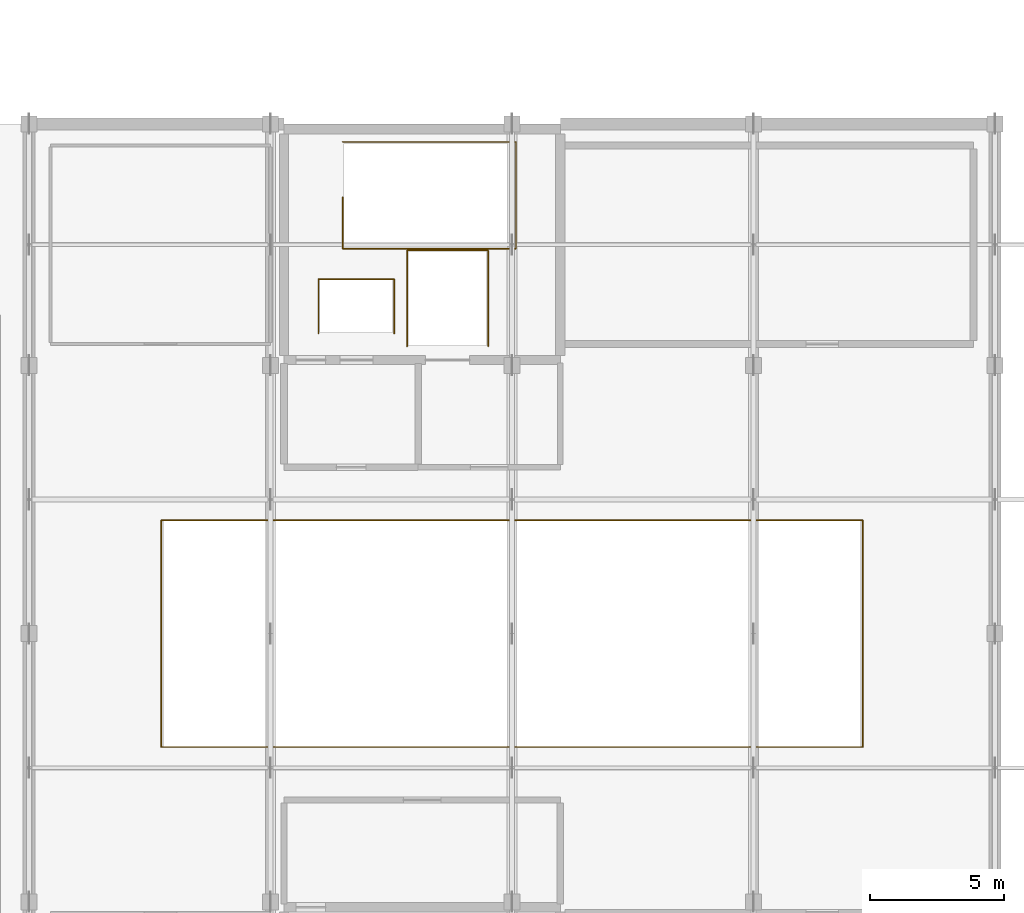
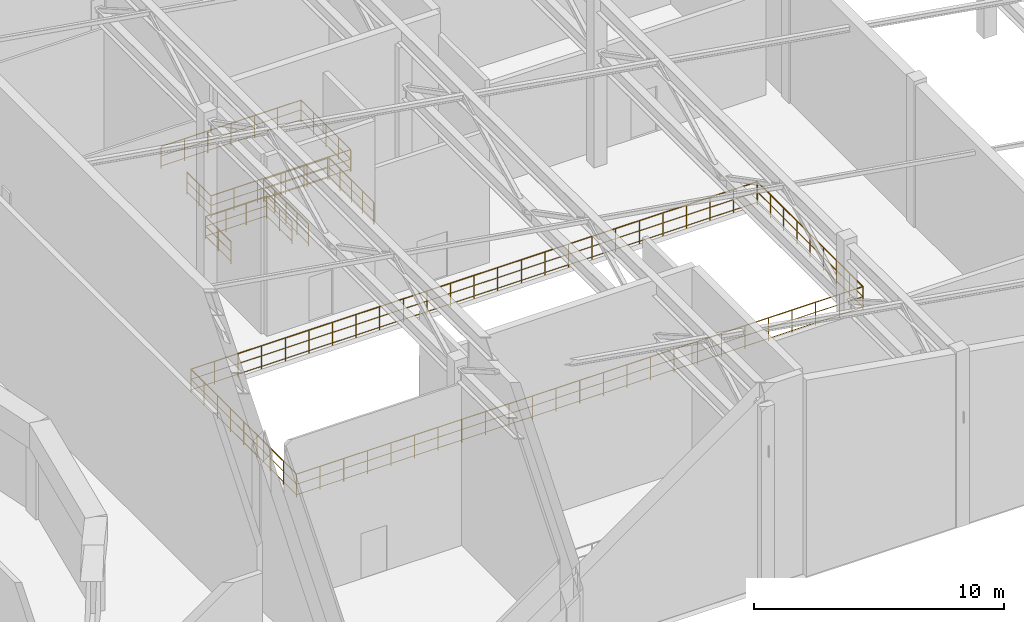
# One storey, part 68 of 68: 4 railings.
"""IFC4 building model written with IfcOpenShell, lengths in metres."""

from ifc_helpers import new_model, si_unit, direction, frame, origin, origin_2d, place, context, subcontext, project, spatial, circle, extrude, material, type_object, element, save


model = new_model("IFC4")

# Units and contexts
model_context = context("Model", 3, precision=1e-05, world=origin(), true_north=direction((0.0, 1.0)))
body_context = subcontext(model_context, "Body", "Model", "MODEL_VIEW")
ifc_project = project(units=[si_unit("LENGTHUNIT", "METRE"), si_unit("AREAUNIT", "SQUARE_METRE"), si_unit("VOLUMEUNIT", "CUBIC_METRE"), si_unit("PLANEANGLEUNIT", "RADIAN"), si_unit("MASSUNIT", "GRAM", prefix="KILO")], contexts=[model_context])

# Site, building, storey
site_placement = place(None, origin())
site = spatial("IfcSite", under=ifc_project, at=site_placement, CompositionType="ELEMENT")
building_placement = place(site_placement, origin())
building = spatial("IfcBuilding", under=site, at=building_placement, Name="Miravela Opera House", CompositionType="ELEMENT")
storey_placement = place(building_placement, frame((0.0, 0.0, 21.760009765625)))
storey = spatial("IfcBuildingStorey", under=building, at=storey_placement, Name="L05", CompositionType="ELEMENT", Elevation=21.760009765625)

# Railings
ifc_material_1 = material(Name="Galvanised steel fly-gallery safety guardrail", Category="steel")
railing_type_1 = type_object("IfcRailingType", Name="ARC-RAIL-STAGE-GUARD", PredefinedType="GUARDRAIL", material=ifc_material_1)
railing_1_placement = place(storey_placement, frame((103.923828125, 51.775390625, 0.0)))
element("IfcRailing", 1, at=railing_1_placement, inside=storey, type_object=railing_type_1, Name="L05 Void Perimeter Balustrade 0171", PredefinedType="GUARDRAIL", context=body_context, shape_type="SweptSolid", body=[
    extrude(circle(Radius=0.02392578125, at=origin_2d()), frame((0.0, 0.0, 1.1259765625), z_axis=(1.0, 0.0, 0.0), x_axis=(0.0, 1.0, 0.0)), (0.0, 0.0, 1.0), 26.15234375),
    extrude(circle(Radius=0.01611328125, at=origin_2d()), frame((0.0, 0.0, 0.63232421875), z_axis=(1.0, 0.0, 0.0), x_axis=(0.0, 1.0, 0.0)), (0.0, 0.0, 1.0), 26.15234375),
    extrude(circle(Radius=0.01611328125, at=origin_2d()), frame((0.0, 0.0, 0.1201171875), z_axis=(1.0, 0.0, 0.0), x_axis=(0.0, 1.0, 0.0)), (0.0, 0.0, 1.0), 26.15234375),
    extrude(circle(Radius=0.02392578125, at=origin_2d()), frame((26.15234375, 0.0, 1.1259765625), z_axis=(0.0, 1.0, 0.0), x_axis=(-1.0, 0.0, 0.0)), (0.0, 0.0, 1.0), 8.44921875),
    extrude(circle(Radius=0.01611328125, at=origin_2d()), frame((26.15234375, 0.0, 0.63232421875), z_axis=(0.0, 1.0, 0.0), x_axis=(-1.0, 0.0, 0.0)), (0.0, 0.0, 1.0), 8.44921875),
    extrude(circle(Radius=0.01611328125, at=origin_2d()), frame((26.15234375, 0.0, 0.1201171875), z_axis=(0.0, 1.0, 0.0), x_axis=(-1.0, 0.0, 0.0)), (0.0, 0.0, 1.0), 8.44921875),
    extrude(circle(Radius=0.02392578125, at=origin_2d()), frame((26.15234375, 8.44921875, 1.1259765625), z_axis=(-1.0, 0.0, 0.0), x_axis=(0.0, -1.0, 0.0)), (0.0, 0.0, 1.0), 26.15234375),
    extrude(circle(Radius=0.01611328125, at=origin_2d()), frame((26.15234375, 8.44921875, 0.63232421875), z_axis=(-1.0, 0.0, 0.0), x_axis=(0.0, -1.0, 0.0)), (0.0, 0.0, 1.0), 26.15234375),
    extrude(circle(Radius=0.01611328125, at=origin_2d()), frame((26.15234375, 8.44921875, 0.1201171875), z_axis=(-1.0, 0.0, 0.0), x_axis=(0.0, -1.0, 0.0)), (0.0, 0.0, 1.0), 26.15234375),
    extrude(circle(Radius=0.02392578125, at=origin_2d()), frame((0.0, 8.44921875, 1.1259765625), z_axis=(0.0, -1.0, 0.0), x_axis=(1.0, 0.0, 0.0)), (0.0, 0.0, 1.0), 8.44921875),
    extrude(circle(Radius=0.01611328125, at=origin_2d()), frame((0.0, 8.44921875, 0.63232421875), z_axis=(0.0, -1.0, 0.0), x_axis=(1.0, 0.0, 0.0)), (0.0, 0.0, 1.0), 8.44921875),
    extrude(circle(Radius=0.01611328125, at=origin_2d()), frame((0.0, 8.44921875, 0.1201171875), z_axis=(0.0, -1.0, 0.0), x_axis=(1.0, 0.0, 0.0)), (0.0, 0.0, 1.0), 8.44921875),
    extrude(circle(Radius=0.02099609375, at=origin_2d()), origin(), (0.0, 0.0, 1.0), 1.101806640625),
    extrude(circle(Radius=0.02099609375, at=origin_2d()), frame((1.089599609375, 0.0, 0.0)), (0.0, 0.0, 1.0), 1.101806640625),
    extrude(circle(Radius=0.02099609375, at=origin_2d()), frame((2.179443359375, 0.0, 0.0)), (0.0, 0.0, 1.0), 1.101806640625),
    extrude(circle(Radius=0.02099609375, at=origin_2d()), frame((3.26904296875, 0.0, 0.0)), (0.0, 0.0, 1.0), 1.101806640625),
    extrude(circle(Radius=0.02099609375, at=origin_2d()), frame((4.358642578125, 0.0, 0.0)), (0.0, 0.0, 1.0), 1.101806640625),
    extrude(circle(Radius=0.02099609375, at=origin_2d()), frame((5.448486328125, 0.0, 0.0)), (0.0, 0.0, 1.0), 1.101806640625),
    extrude(circle(Radius=0.02099609375, at=origin_2d()), frame((6.5380859375, 0.0, 0.0)), (0.0, 0.0, 1.0), 1.101806640625),
    extrude(circle(Radius=0.02099609375, at=origin_2d()), frame((7.627685546875, 0.0, 0.0)), (0.0, 0.0, 1.0), 1.101806640625),
    extrude(circle(Radius=0.02099609375, at=origin_2d()), frame((8.717529296875, 0.0, 0.0)), (0.0, 0.0, 1.0), 1.101806640625),
    extrude(circle(Radius=0.02099609375, at=origin_2d()), frame((9.80712890625, 0.0, 0.0)), (0.0, 0.0, 1.0), 1.101806640625),
    extrude(circle(Radius=0.02099609375, at=origin_2d()), frame((10.896728515625, 0.0, 0.0)), (0.0, 0.0, 1.0), 1.101806640625),
    extrude(circle(Radius=0.02099609375, at=origin_2d()), frame((11.986572265625, 0.0, 0.0)), (0.0, 0.0, 1.0), 1.101806640625),
    extrude(circle(Radius=0.02099609375, at=origin_2d()), frame((13.076171875, 0.0, 0.0)), (0.0, 0.0, 1.0), 1.101806640625),
    extrude(circle(Radius=0.02099609375, at=origin_2d()), frame((14.165771484375, 0.0, 0.0)), (0.0, 0.0, 1.0), 1.101806640625),
    extrude(circle(Radius=0.02099609375, at=origin_2d()), frame((15.255615234375, 0.0, 0.0)), (0.0, 0.0, 1.0), 1.101806640625),
    extrude(circle(Radius=0.02099609375, at=origin_2d()), frame((16.34521484375, 0.0, 0.0)), (0.0, 0.0, 1.0), 1.101806640625),
    extrude(circle(Radius=0.02099609375, at=origin_2d()), frame((17.434814453125, 0.0, 0.0)), (0.0, 0.0, 1.0), 1.101806640625),
    extrude(circle(Radius=0.02099609375, at=origin_2d()), frame((18.524658203125, 0.0, 0.0)), (0.0, 0.0, 1.0), 1.101806640625),
    extrude(circle(Radius=0.02099609375, at=origin_2d()), frame((19.6142578125, 0.0, 0.0)), (0.0, 0.0, 1.0), 1.101806640625),
    extrude(circle(Radius=0.02099609375, at=origin_2d()), frame((20.703857421875, 0.0, 0.0)), (0.0, 0.0, 1.0), 1.101806640625),
    extrude(circle(Radius=0.02099609375, at=origin_2d()), frame((21.793701171875, 0.0, 0.0)), (0.0, 0.0, 1.0), 1.101806640625),
    extrude(circle(Radius=0.02099609375, at=origin_2d()), frame((22.88330078125, 0.0, 0.0)), (0.0, 0.0, 1.0), 1.101806640625),
    extrude(circle(Radius=0.02099609375, at=origin_2d()), frame((23.972900390625, 0.0, 0.0)), (0.0, 0.0, 1.0), 1.101806640625),
    extrude(circle(Radius=0.02099609375, at=origin_2d()), frame((25.062744140625, 0.0, 0.0)), (0.0, 0.0, 1.0), 1.101806640625),
    extrude(circle(Radius=0.02099609375, at=origin_2d()), frame((26.15234375, 0.0, 0.0)), (0.0, 0.0, 1.0), 1.101806640625),
    extrude(circle(Radius=0.02099609375, at=origin_2d()), frame((26.15234375, 1.05615234375, 0.0)), (0.0, 0.0, 1.0), 1.101806640625),
    extrude(circle(Radius=0.02099609375, at=origin_2d()), frame((26.15234375, 2.1123046875, 0.0)), (0.0, 0.0, 1.0), 1.101806640625),
    extrude(circle(Radius=0.02099609375, at=origin_2d()), frame((26.15234375, 3.16845703125, 0.0)), (0.0, 0.0, 1.0), 1.101806640625),
    extrude(circle(Radius=0.02099609375, at=origin_2d()), frame((26.15234375, 4.224609375, 0.0)), (0.0, 0.0, 1.0), 1.101806640625),
    extrude(circle(Radius=0.02099609375, at=origin_2d()), frame((26.15234375, 5.28076171875, 0.0)), (0.0, 0.0, 1.0), 1.101806640625),
    extrude(circle(Radius=0.02099609375, at=origin_2d()), frame((26.15234375, 6.3369140625, 0.0)), (0.0, 0.0, 1.0), 1.101806640625),
    extrude(circle(Radius=0.02099609375, at=origin_2d()), frame((26.15234375, 7.39306640625, 0.0)), (0.0, 0.0, 1.0), 1.101806640625),
    extrude(circle(Radius=0.02099609375, at=origin_2d()), frame((26.15234375, 8.44921875, 0.0)), (0.0, 0.0, 1.0), 1.101806640625),
    extrude(circle(Radius=0.02099609375, at=origin_2d()), frame((25.062744140625, 8.44921875, 0.0)), (0.0, 0.0, 1.0), 1.101806640625),
    extrude(circle(Radius=0.02099609375, at=origin_2d()), frame((23.972900390625, 8.44921875, 0.0)), (0.0, 0.0, 1.0), 1.101806640625),
    extrude(circle(Radius=0.02099609375, at=origin_2d()), frame((22.88330078125, 8.44921875, 0.0)), (0.0, 0.0, 1.0), 1.101806640625),
    extrude(circle(Radius=0.02099609375, at=origin_2d()), frame((21.793701171875, 8.44921875, 0.0)), (0.0, 0.0, 1.0), 1.101806640625),
    extrude(circle(Radius=0.02099609375, at=origin_2d()), frame((20.703857421875, 8.44921875, 0.0)), (0.0, 0.0, 1.0), 1.101806640625),
    extrude(circle(Radius=0.02099609375, at=origin_2d()), frame((19.6142578125, 8.44921875, 0.0)), (0.0, 0.0, 1.0), 1.101806640625),
    extrude(circle(Radius=0.02099609375, at=origin_2d()), frame((18.524658203125, 8.44921875, 0.0)), (0.0, 0.0, 1.0), 1.101806640625),
    extrude(circle(Radius=0.02099609375, at=origin_2d()), frame((17.434814453125, 8.44921875, 0.0)), (0.0, 0.0, 1.0), 1.101806640625),
    extrude(circle(Radius=0.02099609375, at=origin_2d()), frame((16.34521484375, 8.44921875, 0.0)), (0.0, 0.0, 1.0), 1.101806640625),
    extrude(circle(Radius=0.02099609375, at=origin_2d()), frame((15.255615234375, 8.44921875, 0.0)), (0.0, 0.0, 1.0), 1.101806640625),
    extrude(circle(Radius=0.02099609375, at=origin_2d()), frame((14.165771484375, 8.44921875, 0.0)), (0.0, 0.0, 1.0), 1.101806640625),
    extrude(circle(Radius=0.02099609375, at=origin_2d()), frame((13.076171875, 8.44921875, 0.0)), (0.0, 0.0, 1.0), 1.101806640625),
    extrude(circle(Radius=0.02099609375, at=origin_2d()), frame((11.986572265625, 8.44921875, 0.0)), (0.0, 0.0, 1.0), 1.101806640625),
    extrude(circle(Radius=0.02099609375, at=origin_2d()), frame((10.896728515625, 8.44921875, 0.0)), (0.0, 0.0, 1.0), 1.101806640625),
    extrude(circle(Radius=0.02099609375, at=origin_2d()), frame((9.80712890625, 8.44921875, 0.0)), (0.0, 0.0, 1.0), 1.101806640625),
    extrude(circle(Radius=0.02099609375, at=origin_2d()), frame((8.717529296875, 8.44921875, 0.0)), (0.0, 0.0, 1.0), 1.101806640625),
    extrude(circle(Radius=0.02099609375, at=origin_2d()), frame((7.627685546875, 8.44921875, 0.0)), (0.0, 0.0, 1.0), 1.101806640625),
    extrude(circle(Radius=0.02099609375, at=origin_2d()), frame((6.5380859375, 8.44921875, 0.0)), (0.0, 0.0, 1.0), 1.101806640625),
    extrude(circle(Radius=0.02099609375, at=origin_2d()), frame((5.448486328125, 8.44921875, 0.0)), (0.0, 0.0, 1.0), 1.101806640625),
    extrude(circle(Radius=0.02099609375, at=origin_2d()), frame((4.358642578125, 8.44921875, 0.0)), (0.0, 0.0, 1.0), 1.101806640625),
    extrude(circle(Radius=0.02099609375, at=origin_2d()), frame((3.26904296875, 8.44921875, 0.0)), (0.0, 0.0, 1.0), 1.101806640625),
    extrude(circle(Radius=0.02099609375, at=origin_2d()), frame((2.179443359375, 8.44921875, 0.0)), (0.0, 0.0, 1.0), 1.101806640625),
    extrude(circle(Radius=0.02099609375, at=origin_2d()), frame((1.089599609375, 8.44921875, 0.0)), (0.0, 0.0, 1.0), 1.101806640625),
    extrude(circle(Radius=0.02099609375, at=origin_2d()), frame((0.0, 8.44921875, 0.0)), (0.0, 0.0, 1.0), 1.101806640625),
    extrude(circle(Radius=0.02099609375, at=origin_2d()), frame((0.0, 7.39306640625, 0.0)), (0.0, 0.0, 1.0), 1.101806640625),
    extrude(circle(Radius=0.02099609375, at=origin_2d()), frame((0.0, 6.3369140625, 0.0)), (0.0, 0.0, 1.0), 1.101806640625),
    extrude(circle(Radius=0.02099609375, at=origin_2d()), frame((0.0, 5.28076171875, 0.0)), (0.0, 0.0, 1.0), 1.101806640625),
    extrude(circle(Radius=0.02099609375, at=origin_2d()), frame((0.0, 4.224609375, 0.0)), (0.0, 0.0, 1.0), 1.101806640625),
    extrude(circle(Radius=0.02099609375, at=origin_2d()), frame((0.0, 3.16845703125, 0.0)), (0.0, 0.0, 1.0), 1.101806640625),
    extrude(circle(Radius=0.02099609375, at=origin_2d()), frame((0.0, 2.1123046875, 0.0)), (0.0, 0.0, 1.0), 1.101806640625),
    extrude(circle(Radius=0.02099609375, at=origin_2d()), frame((0.0, 1.05615234375, 0.0)), (0.0, 0.0, 1.0), 1.101806640625),
])
ifc_material_2 = material(Name="Painted wrought-iron stair guardrail")
railing_type_2 = type_object("IfcRailingType", Name="ARC-RAIL-STAIR-GUARD", PredefinedType="GUARDRAIL", material=ifc_material_2)
railing_2_placement = place(storey_placement, frame((110.68994140625, 72.27001953125, 0.0)))
element("IfcRailing", 2, at=railing_2_placement, inside=storey, type_object=railing_type_2, Name="Stair ST-03 Well Slab Opening Guard (L05) 0036", PredefinedType="GUARDRAIL", context=body_context, shape_type="SweptSolid", body=[
    extrude(circle(Radius=0.02392578125, at=origin_2d()), frame((0.0, 0.0, 1.076171875), z_axis=(0.0, -1.0, 0.0), x_axis=(1.0, 0.0, 0.0)), (0.0, 0.0, 1.0), 1.919921875),
    extrude(circle(Radius=0.01611328125, at=origin_2d()), frame((0.0, 0.0, 0.60498046875), z_axis=(0.0, -1.0, 0.0), x_axis=(1.0, 0.0, 0.0)), (0.0, 0.0, 1.0), 1.919921875),
    extrude(circle(Radius=0.01611328125, at=origin_2d()), frame((0.0, 0.0, 0.1201171875), z_axis=(0.0, -1.0, 0.0), x_axis=(1.0, 0.0, 0.0)), (0.0, 0.0, 1.0), 1.919921875),
    extrude(circle(Radius=0.02392578125, at=origin_2d()), frame((0.0, -1.919921875, 1.076171875), z_axis=(1.0, 0.0, 0.0), x_axis=(0.0, 1.0, 0.0)), (0.0, 0.0, 1.0), 6.4599609375),
    extrude(circle(Radius=0.01611328125, at=origin_2d()), frame((0.0, -1.919921875, 0.60498046875), z_axis=(1.0, 0.0, 0.0), x_axis=(0.0, 1.0, 0.0)), (0.0, 0.0, 1.0), 6.4599609375),
    extrude(circle(Radius=0.01611328125, at=origin_2d()), frame((0.0, -1.919921875, 0.1201171875), z_axis=(1.0, 0.0, 0.0), x_axis=(0.0, 1.0, 0.0)), (0.0, 0.0, 1.0), 6.4599609375),
    extrude(circle(Radius=0.02392578125, at=origin_2d()), frame((6.4599609375, -1.919921875, 1.076171875), z_axis=(0.0, 1.0, 0.0), x_axis=(-1.0, 0.0, 0.0)), (0.0, 0.0, 1.0), 3.97998046875),
    extrude(circle(Radius=0.01611328125, at=origin_2d()), frame((6.4599609375, -1.919921875, 0.60498046875), z_axis=(0.0, 1.0, 0.0), x_axis=(-1.0, 0.0, 0.0)), (0.0, 0.0, 1.0), 3.97998046875),
    extrude(circle(Radius=0.01611328125, at=origin_2d()), frame((6.4599609375, -1.919921875, 0.1201171875), z_axis=(0.0, 1.0, 0.0), x_axis=(-1.0, 0.0, 0.0)), (0.0, 0.0, 1.0), 3.97998046875),
    extrude(circle(Radius=0.02392578125, at=origin_2d()), frame((6.4599609375, 2.06005859375, 1.076171875), z_axis=(-1.0, 0.0, 0.0), x_axis=(0.0, -1.0, 0.0)), (0.0, 0.0, 1.0), 6.4599609375),
    extrude(circle(Radius=0.01611328125, at=origin_2d()), frame((6.4599609375, 2.06005859375, 0.60498046875), z_axis=(-1.0, 0.0, 0.0), x_axis=(0.0, -1.0, 0.0)), (0.0, 0.0, 1.0), 6.4599609375),
    extrude(circle(Radius=0.01611328125, at=origin_2d()), frame((6.4599609375, 2.06005859375, 0.1201171875), z_axis=(-1.0, 0.0, 0.0), x_axis=(0.0, -1.0, 0.0)), (0.0, 0.0, 1.0), 6.4599609375),
    extrude(circle(Radius=0.02099609375, at=origin_2d()), origin(), (0.0, 0.0, 1.0), 1.052001953125),
    extrude(circle(Radius=0.02099609375, at=origin_2d()), frame((0.0, -0.9599609375, 0.0)), (0.0, 0.0, 1.0), 1.052001953125),
    extrude(circle(Radius=0.02099609375, at=origin_2d()), frame((0.0, -1.919921875, 0.0)), (0.0, 0.0, 1.0), 1.052001953125),
    extrude(circle(Radius=0.02099609375, at=origin_2d()), frame((1.07666015625, -1.919921875, 0.0)), (0.0, 0.0, 1.0), 1.052001953125),
    extrude(circle(Radius=0.02099609375, at=origin_2d()), frame((2.1533203125, -1.919921875, 0.0)), (0.0, 0.0, 1.0), 1.052001953125),
    extrude(circle(Radius=0.02099609375, at=origin_2d()), frame((3.22998046875, -1.919921875, 0.0)), (0.0, 0.0, 1.0), 1.052001953125),
    extrude(circle(Radius=0.02099609375, at=origin_2d()), frame((4.306640625, -1.919921875, 0.0)), (0.0, 0.0, 1.0), 1.052001953125),
    extrude(circle(Radius=0.02099609375, at=origin_2d()), frame((5.38330078125, -1.919921875, 0.0)), (0.0, 0.0, 1.0), 1.052001953125),
    extrude(circle(Radius=0.02099609375, at=origin_2d()), frame((6.4599609375, -1.919921875, 0.0)), (0.0, 0.0, 1.0), 1.052001953125),
    extrude(circle(Radius=0.02099609375, at=origin_2d()), frame((6.4599609375, -0.9248046875, 0.0)), (0.0, 0.0, 1.0), 1.052001953125),
    extrude(circle(Radius=0.02099609375, at=origin_2d()), frame((6.4599609375, 0.070068359375, 0.0)), (0.0, 0.0, 1.0), 1.052001953125),
    extrude(circle(Radius=0.02099609375, at=origin_2d()), frame((6.4599609375, 1.06494140625, 0.0)), (0.0, 0.0, 1.0), 1.052001953125),
    extrude(circle(Radius=0.02099609375, at=origin_2d()), frame((6.4599609375, 2.06005859375, 0.0)), (0.0, 0.0, 1.0), 1.052001953125),
    extrude(circle(Radius=0.02099609375, at=origin_2d()), frame((5.38330078125, 2.06005859375, 0.0)), (0.0, 0.0, 1.0), 1.052001953125),
    extrude(circle(Radius=0.02099609375, at=origin_2d()), frame((4.306640625, 2.06005859375, 0.0)), (0.0, 0.0, 1.0), 1.052001953125),
    extrude(circle(Radius=0.02099609375, at=origin_2d()), frame((3.22998046875, 2.06005859375, 0.0)), (0.0, 0.0, 1.0), 1.052001953125),
    extrude(circle(Radius=0.02099609375, at=origin_2d()), frame((2.1533203125, 2.06005859375, 0.0)), (0.0, 0.0, 1.0), 1.052001953125),
    extrude(circle(Radius=0.02099609375, at=origin_2d()), frame((1.07666015625, 2.06005859375, 0.0)), (0.0, 0.0, 1.0), 1.052001953125),
    extrude(circle(Radius=0.02099609375, at=origin_2d()), frame((0.0, 2.06005859375, 0.0)), (0.0, 0.0, 1.0), 1.052001953125),
])
railing_3_placement = place(storey_placement, frame((109.7900390625, 67.18505859375, 0.0)))
element("IfcRailing", 3, at=railing_3_placement, inside=storey, type_object=railing_type_2, Name="Lift FFL-02 Hoistway Slab Opening Guard (L05) 0122", PredefinedType="GUARDRAIL", context=body_context, shape_type="SweptSolid", body=[
    extrude(circle(Radius=0.02392578125, at=origin_2d()), frame((0.0, 0.0, 1.076171875), z_axis=(0.0, 1.0, 0.0), x_axis=(-1.0, 0.0, 0.0)), (0.0, 0.0, 1.0), 2.030029296875),
    extrude(circle(Radius=0.01611328125, at=origin_2d()), frame((0.0, 0.0, 0.60498046875), z_axis=(0.0, 1.0, 0.0), x_axis=(-1.0, 0.0, 0.0)), (0.0, 0.0, 1.0), 2.030029296875),
    extrude(circle(Radius=0.01611328125, at=origin_2d()), frame((0.0, 0.0, 0.1201171875), z_axis=(0.0, 1.0, 0.0), x_axis=(-1.0, 0.0, 0.0)), (0.0, 0.0, 1.0), 2.030029296875),
    extrude(circle(Radius=0.02392578125, at=origin_2d()), frame((0.0, 2.030029296875, 1.076171875), z_axis=(1.0, 0.0, 0.0), x_axis=(0.0, 1.0, 0.0)), (0.0, 0.0, 1.0), 2.820068359375),
    extrude(circle(Radius=0.01611328125, at=origin_2d()), frame((0.0, 2.030029296875, 0.60498046875), z_axis=(1.0, 0.0, 0.0), x_axis=(0.0, 1.0, 0.0)), (0.0, 0.0, 1.0), 2.820068359375),
    extrude(circle(Radius=0.01611328125, at=origin_2d()), frame((0.0, 2.030029296875, 0.1201171875), z_axis=(1.0, 0.0, 0.0), x_axis=(0.0, 1.0, 0.0)), (0.0, 0.0, 1.0), 2.820068359375),
    extrude(circle(Radius=0.02392578125, at=origin_2d()), frame((2.820068359375, 2.030029296875, 1.076171875), z_axis=(0.0, -1.0, 0.0), x_axis=(1.0, 0.0, 0.0)), (0.0, 0.0, 1.0), 2.030029296875),
    extrude(circle(Radius=0.01611328125, at=origin_2d()), frame((2.820068359375, 2.030029296875, 0.60498046875), z_axis=(0.0, -1.0, 0.0), x_axis=(1.0, 0.0, 0.0)), (0.0, 0.0, 1.0), 2.030029296875),
    extrude(circle(Radius=0.01611328125, at=origin_2d()), frame((2.820068359375, 2.030029296875, 0.1201171875), z_axis=(0.0, -1.0, 0.0), x_axis=(1.0, 0.0, 0.0)), (0.0, 0.0, 1.0), 2.030029296875),
    extrude(circle(Radius=0.02099609375, at=origin_2d()), origin(), (0.0, 0.0, 1.0), 1.052001953125),
    extrude(circle(Radius=0.02099609375, at=origin_2d()), frame((0.0, 1.01513671875, 0.0)), (0.0, 0.0, 1.0), 1.052001953125),
    extrude(circle(Radius=0.02099609375, at=origin_2d()), frame((0.0, 2.030029296875, 0.0)), (0.0, 0.0, 1.0), 1.052001953125),
    extrude(circle(Radius=0.02099609375, at=origin_2d()), frame((0.93994140625, 2.030029296875, 0.0)), (0.0, 0.0, 1.0), 1.052001953125),
    extrude(circle(Radius=0.02099609375, at=origin_2d()), frame((1.880126953125, 2.030029296875, 0.0)), (0.0, 0.0, 1.0), 1.052001953125),
    extrude(circle(Radius=0.02099609375, at=origin_2d()), frame((2.820068359375, 2.030029296875, 0.0)), (0.0, 0.0, 1.0), 1.052001953125),
    extrude(circle(Radius=0.02099609375, at=origin_2d()), frame((2.820068359375, 1.01513671875, 0.0)), (0.0, 0.0, 1.0), 1.052001953125),
    extrude(circle(Radius=0.02099609375, at=origin_2d()), frame((2.820068359375, 0.0, 0.0)), (0.0, 0.0, 1.0), 1.052001953125),
])
railing_4_placement = place(storey_placement, frame((113.090087890625, 66.7099609375, 0.0)))
element("IfcRailing", 4, at=railing_4_placement, inside=storey, type_object=railing_type_2, Name="Lift FL-01 Hoistway Slab Opening Guard (L05) 0128", PredefinedType="GUARDRAIL", context=body_context, shape_type="SweptSolid", body=[
    extrude(circle(Radius=0.02392578125, at=origin_2d()), frame((0.0, 0.0, 1.076171875), z_axis=(0.0, 1.0, 0.0), x_axis=(-1.0, 0.0, 0.0)), (0.0, 0.0, 1.0), 3.580078125),
    extrude(circle(Radius=0.01611328125, at=origin_2d()), frame((0.0, 0.0, 0.60498046875), z_axis=(0.0, 1.0, 0.0), x_axis=(-1.0, 0.0, 0.0)), (0.0, 0.0, 1.0), 3.580078125),
    extrude(circle(Radius=0.01611328125, at=origin_2d()), frame((0.0, 0.0, 0.1201171875), z_axis=(0.0, 1.0, 0.0), x_axis=(-1.0, 0.0, 0.0)), (0.0, 0.0, 1.0), 3.580078125),
    extrude(circle(Radius=0.02392578125, at=origin_2d()), frame((0.0, 3.580078125, 1.076171875), z_axis=(1.0, 0.0, 0.0), x_axis=(0.0, 1.0, 0.0)), (0.0, 0.0, 1.0), 3.02001953125),
    extrude(circle(Radius=0.01611328125, at=origin_2d()), frame((0.0, 3.580078125, 0.60498046875), z_axis=(1.0, 0.0, 0.0), x_axis=(0.0, 1.0, 0.0)), (0.0, 0.0, 1.0), 3.02001953125),
    extrude(circle(Radius=0.01611328125, at=origin_2d()), frame((0.0, 3.580078125, 0.1201171875), z_axis=(1.0, 0.0, 0.0), x_axis=(0.0, 1.0, 0.0)), (0.0, 0.0, 1.0), 3.02001953125),
    extrude(circle(Radius=0.02392578125, at=origin_2d()), frame((3.02001953125, 3.580078125, 1.076171875), z_axis=(0.0, -1.0, 0.0), x_axis=(1.0, 0.0, 0.0)), (0.0, 0.0, 1.0), 3.580078125),
    extrude(circle(Radius=0.01611328125, at=origin_2d()), frame((3.02001953125, 3.580078125, 0.60498046875), z_axis=(0.0, -1.0, 0.0), x_axis=(1.0, 0.0, 0.0)), (0.0, 0.0, 1.0), 3.580078125),
    extrude(circle(Radius=0.01611328125, at=origin_2d()), frame((3.02001953125, 3.580078125, 0.1201171875), z_axis=(0.0, -1.0, 0.0), x_axis=(1.0, 0.0, 0.0)), (0.0, 0.0, 1.0), 3.580078125),
    extrude(circle(Radius=0.02099609375, at=origin_2d()), origin(), (0.0, 0.0, 1.0), 1.052001953125),
    extrude(circle(Radius=0.02099609375, at=origin_2d()), frame((0.0, 0.89501953125, 0.0)), (0.0, 0.0, 1.0), 1.052001953125),
    extrude(circle(Radius=0.02099609375, at=origin_2d()), frame((0.0, 1.7900390625, 0.0)), (0.0, 0.0, 1.0), 1.052001953125),
    extrude(circle(Radius=0.02099609375, at=origin_2d()), frame((0.0, 2.68505859375, 0.0)), (0.0, 0.0, 1.0), 1.052001953125),
    extrude(circle(Radius=0.02099609375, at=origin_2d()), frame((0.0, 3.580078125, 0.0)), (0.0, 0.0, 1.0), 1.052001953125),
    extrude(circle(Radius=0.02099609375, at=origin_2d()), frame((1.006591796875, 3.580078125, 0.0)), (0.0, 0.0, 1.0), 1.052001953125),
    extrude(circle(Radius=0.02099609375, at=origin_2d()), frame((2.013427734375, 3.580078125, 0.0)), (0.0, 0.0, 1.0), 1.052001953125),
    extrude(circle(Radius=0.02099609375, at=origin_2d()), frame((3.02001953125, 3.580078125, 0.0)), (0.0, 0.0, 1.0), 1.052001953125),
    extrude(circle(Radius=0.02099609375, at=origin_2d()), frame((3.02001953125, 2.68505859375, 0.0)), (0.0, 0.0, 1.0), 1.052001953125),
    extrude(circle(Radius=0.02099609375, at=origin_2d()), frame((3.02001953125, 1.7900390625, 0.0)), (0.0, 0.0, 1.0), 1.052001953125),
    extrude(circle(Radius=0.02099609375, at=origin_2d()), frame((3.02001953125, 0.89501953125, 0.0)), (0.0, 0.0, 1.0), 1.052001953125),
    extrude(circle(Radius=0.02099609375, at=origin_2d()), frame((3.02001953125, 0.0, 0.0)), (0.0, 0.0, 1.0), 1.052001953125),
])

save(model, "model.ifc")
